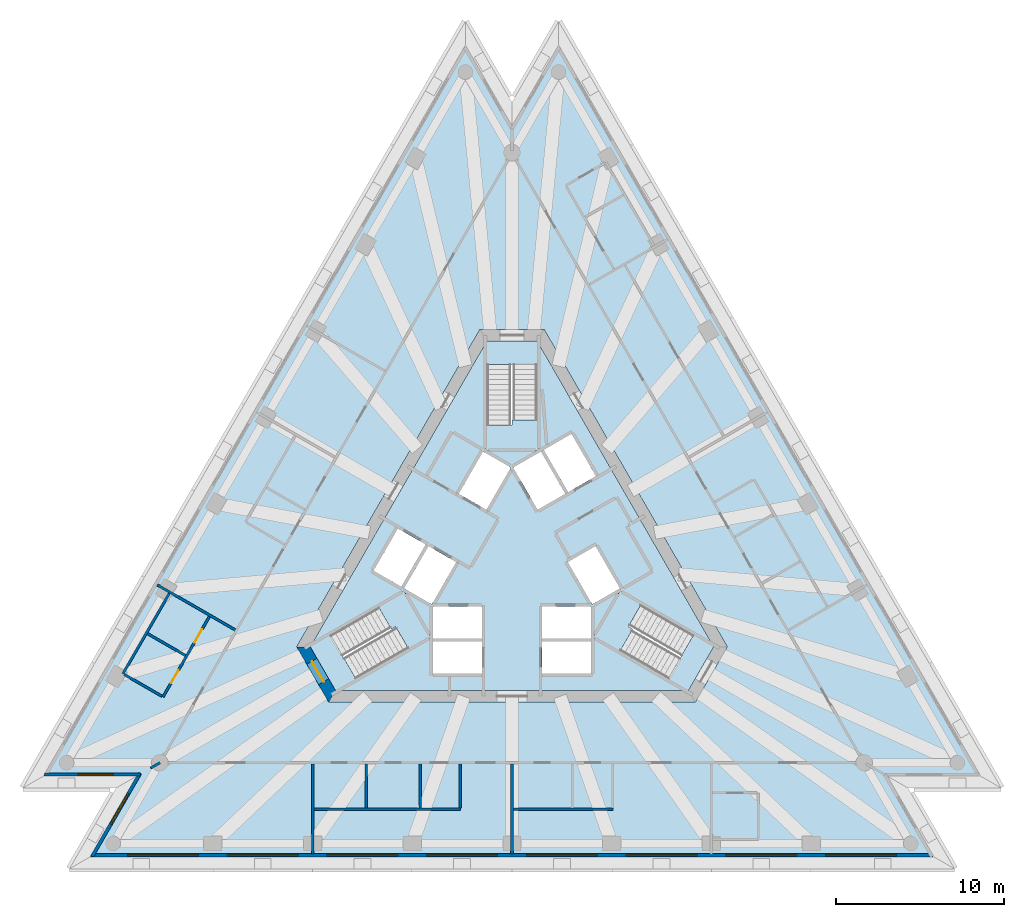
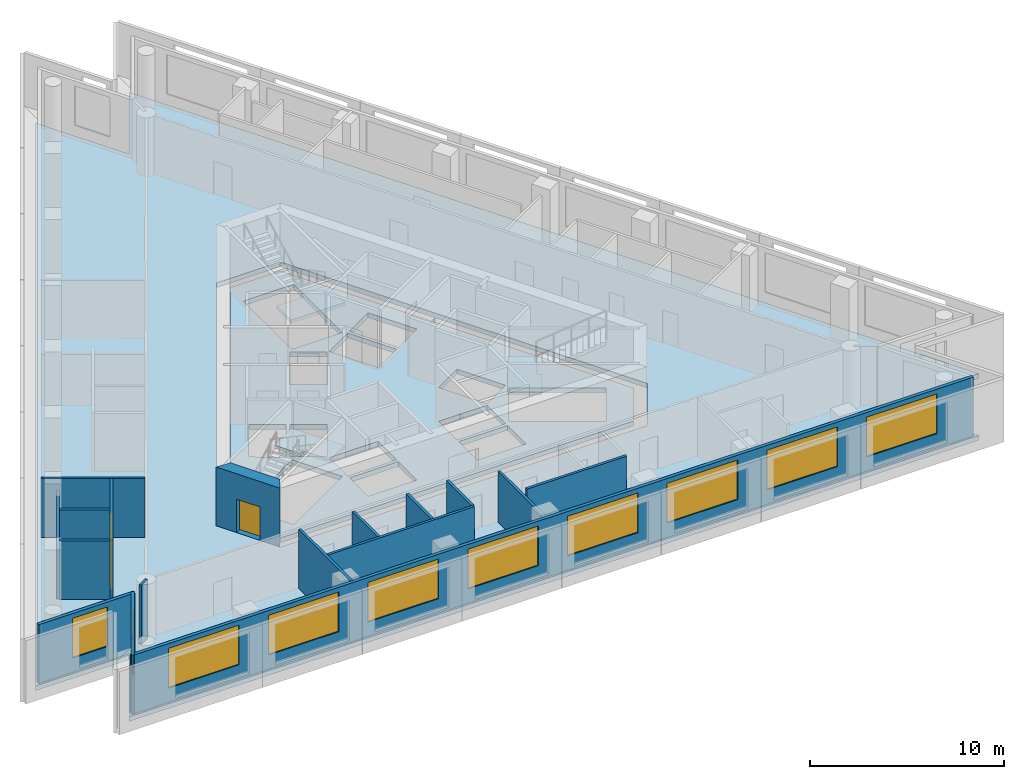
# One storey, part 2 of 9: 17 walls, 10 windows, 5 slabs, 3 doors, 13 openings, 3 elements without a shape of their own.
"""IFC4 building model written with IfcOpenShell, lengths in metres."""

from ifc_helpers import new_model, si_unit, direction, frame, frame_2d, origin, place, context, subcontext, project, spatial, polyline, rectangle, outline, extrude, material, layer, layer_set, layer_usage, type_object, element, fill, aggregate, save


model = new_model("IFC4")

# Units and contexts
model_context = context("Model", 3, precision=1e-05, world=origin(), true_north=direction((0.0, 1.0)))
body_context = subcontext(model_context, "Body", "Model", "MODEL_VIEW")
ifc_project = project(units=[si_unit("LENGTHUNIT", "METRE"), si_unit("AREAUNIT", "SQUARE_METRE"), si_unit("VOLUMEUNIT", "CUBIC_METRE"), si_unit("PLANEANGLEUNIT", "RADIAN"), si_unit("MASSUNIT", "GRAM", prefix="KILO")], contexts=[model_context])

# Site, building, storey
site_placement = place(None, origin())
site = spatial("IfcSite", under=ifc_project, at=site_placement, CompositionType="ELEMENT")
building_placement = place(site_placement, origin())
building = spatial("IfcBuilding", under=site, at=building_placement, Name="Triada Interchange Tower", CompositionType="ELEMENT")
storey_placement = place(building_placement, frame((0.0, 0.0, 231.300048828125)))
storey = spatial("IfcBuildingStorey", under=building, at=storey_placement, Name="L54", CompositionType="ELEMENT", Elevation=231.300048828125)

# Slabs
ifc_material_1 = material(Name="Concrete C50/60", Category="concrete")
ifc_layer_1 = layer(ifc_material_1, 0.300048828125)
ifc_layer_set_1 = layer_set([ifc_layer_1], Name="Floor slab 300")
slab_type_1 = type_object("IfcSlabType", Name="Floor slab 300", PredefinedType="FLOOR", material=ifc_layer_set_1)
slab_1_placement = place(storey_placement, frame((0.0, 0.0, -0.300048828125)))
element("IfcSlab", 1, at=slab_1_placement, inside=storey, type_object=slab_type_1, Name="Floor slab L54", PredefinedType="FLOOR", context=body_context, shape_type="SweptSolid", body=[
    extrude(outline(polyline([(-2.777099609375, 30.822998046875), (-28.0830078125, -13.006103515625), (-22.528076171875, -13.006103515625), (-25.304931640625, -17.81689453125), (25.304931640625, -17.81689453125), (22.528076171875, -13.006103515625), (28.0830078125, -13.006103515625), (2.777099609375, 30.822998046875), (0.0, 26.012939453125), (-2.777099609375, 30.822998046875)]), holes=[polyline([(1.905029296875, 13.699951171875), (-1.905029296875, 13.699951171875), (-12.81689453125, -5.199951171875), (-10.912109375, -8.5), (10.912109375, -8.5), (12.81689453125, -5.199951171875), (1.905029296875, 13.699951171875)])]), origin(), (0.0, 0.0, 1.0), 0.300048828125),
])
slab_2_placement = place(storey_placement, frame((0.0, 0.0, -0.300048828125)))
element("IfcSlab", 2, at=slab_2_placement, inside=storey, type_object=slab_type_1, Name="Core floor slab L54 1", PredefinedType="FLOOR", context=body_context, shape_type="SweptSolid", body=[
    extrude(outline(polyline([(12.009033203125, -5.199951171875), (10.508056640625, -7.800048828125), (-10.508056640625, -7.800048828125), (-12.009033203125, -5.199951171875), (-1.5009765625, 13.0), (1.5009765625, 13.0), (12.009033203125, -5.199951171875)]), holes=[polyline([(9.2958984375, -7.09912109375), (10.7958984375, -4.5009765625), (6.466064453125, -2.0009765625), (4.966064453125, -4.59912109375), (9.2958984375, -7.09912109375)]), polyline([(4.77490234375, -2.669921875), (6.419921875, -1.719970703125), (4.969970703125, 0.791015625), (4.137939453125, 0.31103515625), (3.324951171875, -0.158935546875), (4.77490234375, -2.669921875)]), polyline([(1.89404296875, 6.52001953125), (3.343994140625, 4.009033203125), (4.989013671875, 4.958984375), (3.5390625, 7.469970703125), (1.89404296875, 6.52001953125)]), polyline([(1.800048828125, -4.89990234375), (1.800048828125, -6.4990234375), (1.800048828125, -6.800048828125), (4.699951171875, -6.800048828125), (4.699951171875, -4.89990234375), (1.800048828125, -4.89990234375)]), polyline([(4.699951171875, -2.800048828125), (1.800048828125, -2.800048828125), (1.800048828125, -4.699951171875), (4.699951171875, -4.699951171875), (4.699951171875, -2.800048828125)]), polyline([(0.074951171875, 5.469970703125), (1.52490234375, 2.958984375), (3.169921875, 3.908935546875), (1.719970703125, 6.419921875), (0.074951171875, 5.469970703125)]), polyline([(-1.5, 11.60009765625), (-1.5, 6.60009765625), (1.5, 6.60009765625), (1.5, 11.60009765625), (-1.5, 11.60009765625)]), polyline([(-1.52490234375, 2.958984375), (-0.074951171875, 5.469970703125), (-1.719970703125, 6.419921875), (-3.169921875, 3.908935546875), (-1.52490234375, 2.958984375)]), polyline([(-1.800048828125, -2.800048828125), (-4.699951171875, -2.800048828125), (-4.699951171875, -4.699951171875), (-1.800048828125, -4.699951171875), (-1.800048828125, -2.800048828125)]), polyline([(-4.699951171875, -6.800048828125), (-1.800048828125, -6.800048828125), (-1.800048828125, -6.4990234375), (-1.800048828125, -4.89990234375), (-4.699951171875, -4.89990234375), (-4.699951171875, -6.800048828125)]), polyline([(-3.367919921875, -0.134033203125), (-4.969970703125, 0.791015625), (-6.419921875, -1.719970703125), (-4.77490234375, -2.669921875), (-3.324951171875, -0.158935546875), (-3.367919921875, -0.134033203125)]), polyline([(-10.7958984375, -4.5009765625), (-9.2958984375, -7.09912109375), (-4.966064453125, -4.59912109375), (-6.466064453125, -2.0009765625), (-10.7958984375, -4.5009765625)]), polyline([(-6.593994140625, -1.6201171875), (-5.14404296875, 0.89111328125), (-6.7890625, 1.841064453125), (-8.239013671875, -0.669921875), (-6.593994140625, -1.6201171875)])]), origin(), (0.0, 0.0, 1.0), 0.300048828125),
])

# Stair, slab
ifc_material_2 = material(Name="Concrete C35/45", Category="concrete")
stair_type = type_object("IfcStairType", Name="HALF TURN STAIR 1400", PredefinedType="HALF_TURN_STAIR", material=ifc_material_2)
stair_1_placement = place(storey_placement, origin())
stair_1 = element("IfcStair", 3, at=stair_1_placement, inside=storey, type_object=stair_type, Name="Exit stair S53-1", PredefinedType="HALF_TURN_STAIR")
ifc_layer_2 = layer(ifc_material_2, 0.199951171875)
ifc_layer_set_2 = layer_set([ifc_layer_2], Name="STAIR LANDING 200")
slab_type_2 = type_object("IfcSlabType", Name="STAIR LANDING 200", PredefinedType="LANDING", material=ifc_layer_set_2)
slab_3_placement = place(storey_placement, frame((0.0, 0.0, 1.719970703125)))
slab_3 = element("IfcSlab", 4, at=slab_3_placement, type_object=slab_type_2, Name="S53-1 landing 1", PredefinedType="LANDING", context=body_context, shape_type="SweptSolid", body=[
    extrude(outline(polyline([(1.60009765625, 6.5), (1.60009765625, 8.300048828125), (0.0, 8.300048828125), (0.0, 8.0), (-1.60009765625, 8.0), (-1.60009765625, 6.5), (1.60009765625, 6.5)])), origin(), (0.0, 0.0, 1.0), 0.199951171875),
])
aggregate(stair_1, [slab_3])

stair_2_placement = place(storey_placement, origin())
stair_2 = element("IfcStair", 5, at=stair_2_placement, inside=storey, type_object=stair_type, Name="Exit stair S53-2", PredefinedType="HALF_TURN_STAIR")
slab_4_placement = place(storey_placement, frame((0.0, 0.0, 1.719970703125)))
slab_4 = element("IfcSlab", 6, at=slab_4_placement, type_object=slab_type_2, Name="S53-2 landing 1", PredefinedType="LANDING", context=body_context, shape_type="SweptSolid", body=[
    extrude(outline(polyline([(-6.428955078125, -1.864013671875), (-7.988037109375, -2.763916015625), (-7.18798828125, -4.14990234375), (-6.927978515625, -4.0), (-6.1279296875, -5.385986328125), (-4.8291015625, -4.635986328125), (-6.428955078125, -1.864013671875)])), origin(), (0.0, 0.0, 1.0), 0.199951171875),
])
aggregate(stair_2, [slab_4])

stair_3_placement = place(storey_placement, origin())
stair_3 = element("IfcStair", 7, at=stair_3_placement, inside=storey, type_object=stair_type, Name="Exit stair S53-3", PredefinedType="HALF_TURN_STAIR")
slab_5_placement = place(storey_placement, frame((0.0, 0.0, 1.719970703125)))
slab_5 = element("IfcSlab", 8, at=slab_5_placement, type_object=slab_type_2, Name="S53-3 landing 1", PredefinedType="LANDING", context=body_context, shape_type="SweptSolid", body=[
    extrude(outline(polyline([(4.8291015625, -4.635986328125), (6.387939453125, -5.535888671875), (7.18798828125, -4.14990234375), (6.927978515625, -4.0), (7.72802734375, -2.614013671875), (6.428955078125, -1.864013671875), (4.8291015625, -4.635986328125)])), origin(), (0.0, 0.0, 1.0), 0.199951171875),
])
aggregate(stair_3, [slab_5])

# Wall, opening, door
ifc_layer_3 = layer(ifc_material_1, 0.699951171875)
ifc_layer_set_3 = layer_set([ifc_layer_3], Name="Core wall C 700")
wall_type_1 = type_object("IfcWallType", Name="Core wall C 700", PredefinedType="SHEAR", material=ifc_layer_set_3)
wall_1_placement = place(storey_placement, frame((-12.4130859375, -5.199951171875, -0.300048828125), z_axis=(0.0, 0.0, 1.0), x_axis=(0.49999337185, -0.866029230515, 0.0)))
wall_1 = element("IfcWall", 9, at=wall_1_placement, inside=storey, type_object=wall_type_1, Name="Core wall WC03 L54", PredefinedType="SHEAR", context=body_context, shape_type="SweptSolid", body=[
    extrude(outline(polyline([(-0.201904296875, -0.35009765625), (1.703125, -0.35009765625), (3.60791015625, -0.35009765625), (3.2041015625, 0.35009765625), (1.703125, 0.35009765625), (0.201904296875, 0.35009765625), (-0.201904296875, -0.35009765625)])), origin(), (0.0, 0.0, 1.0), 4.0),
])
opening_1_placement = place(wall_1_placement, frame((1.0029296875, 0.0, 0.300048828125)))
opening_1 = element("IfcOpeningElement", 10, at=opening_1_placement, cuts=wall_1, Name="Opening D53-41", PredefinedType="OPENING", context=body_context, shape_type="SweptSolid", body=[
    extrude(rectangle(XDim=1.39990234375, YDim=2.10009765625, at=frame_2d((0.699951171875, 1.050048828125))), frame((0.0, 0.360107421875, 0.0), z_axis=(0.0, -1.0, 0.0), x_axis=(1.0, 0.0, 0.0)), (0.0, 0.0, 1.0), 0.72021484375),
])
ifc_material_3 = material(Name="Steel S235 door leaf", Category="steel")
door_type_1 = type_object("IfcDoorType", Name="STAIR DOOR 1400 EI2 90-C5S200", OperationType="DOUBLE_DOOR_SINGLE_SWING", PredefinedType="DOOR", material=ifc_material_3)
door_1_placement = place(opening_1_placement, origin())
door_1 = element("IfcDoor", 11, at=door_1_placement, inside=storey, type_object=door_type_1, Name="Door D53-41 L54", OperationType="DOUBLE_DOOR_SINGLE_SWING", OverallHeight=2.10009765625, OverallWidth=1.39990234375, PredefinedType="DOOR", context=body_context, shape_type="SweptSolid", body=[
    extrude(rectangle(XDim=1.39990234375, YDim=2.10009765625, at=frame_2d((0.699951171875, 1.050048828125))), frame((0.0, 0.02490234375, 0.0), z_axis=(0.0, -1.0, 0.0), x_axis=(1.0, 0.0, 0.0)), (0.0, 0.0, 1.0), 0.050048828125),
])
fill(opening_1, door_1)

# Wall, opening, window
ifc_material_4 = material(Name="Cement board")
ifc_layer_4 = layer(ifc_material_4, 0.02001953125, Name="Cement board cladding")
ifc_material_5 = material(Name="Sheathing board")
ifc_layer_5 = layer(ifc_material_5, 0.014892578125, Name="Sheathing board")
ifc_material_6 = material(Name="Mineral wool")
ifc_layer_6 = layer(ifc_material_6, 0.14990234375, Name="Mineral wool between steel studs")
ifc_material_7 = material(Name="Gypsum board")
ifc_layer_7 = layer(ifc_material_7, 0.014892578125, Name="Plasterboard lining")
ifc_layer_set_4 = layer_set([ifc_layer_4, ifc_layer_5, ifc_layer_6, ifc_layer_7], Name="External wall 200")
ifc_layer_usage = layer_usage(ifc_layer_set_4, "AXIS2", "POSITIVE", -0.10009765625)
wall_type_2 = type_object("IfcWallType", Name="External wall 200", PredefinedType="ELEMENTEDWALL", material=ifc_layer_set_4)
wall_2_placement = place(storey_placement, frame((-27.826904296875, -12.805908203125, 0.0), z_axis=(0.0, 0.0, 1.0), x_axis=(1.0, 0.0, 0.0)))
wall_2 = element("IfcWall", 12, at=wall_2_placement, inside=storey, type_object=wall_type_2, material=ifc_layer_usage, Name="External wall L54 SW-1", PredefinedType="ELEMENTEDWALL", context=body_context, shape_type="SweptSolid", body=[
    extrude(rectangle(XDim=5.71484375, YDim=0.199951171875, at=frame_2d((2.857421875, 0.0))), origin(), (0.0, 0.0, 1.0), 3.699951171875),
])
opening_2_placement = place(wall_2_placement, frame((1.989990234375, 0.0, 0.89990234375)))
opening_2 = element("IfcOpeningElement", 13, at=opening_2_placement, cuts=wall_2, Name="Opening WC09", PredefinedType="OPENING", context=body_context, shape_type="SweptSolid", body=[
    extrude(rectangle(XDim=2.10009765625, YDim=2.5, at=frame_2d((1.050048828125, 1.25))), frame((0.0, 0.10986328125, 0.0), z_axis=(0.0, -1.0, 0.0), x_axis=(1.0, 0.0, 0.0)), (0.0, 0.0, 1.0), 0.219970703125),
])
ifc_material_8 = material(Name="Double glazed aluminium window", Category="aluminium")
window_type_1 = type_object("IfcWindowType", Name="Ribbon window C pocket", PartitioningType="SINGLE_PANEL", PredefinedType="WINDOW", material=ifc_material_8)
window_1_placement = place(opening_2_placement, origin())
window_1 = element("IfcWindow", 14, at=window_1_placement, inside=storey, type_object=window_type_1, Name="Window L54 SW-1 1", OverallHeight=2.5, OverallWidth=2.10009765625, PartitioningType="SINGLE_PANEL", PredefinedType="WINDOW", context=body_context, shape_type="SweptSolid", body=[
    extrude(rectangle(XDim=2.10009765625, YDim=2.5, at=frame_2d((1.050048828125, 1.25))), frame((0.0, 0.030029296875, 0.0), z_axis=(0.0, -1.0, 0.0), x_axis=(1.0, 0.0, 0.0)), (0.0, 0.0, 1.0), 0.06005859375),
])
fill(opening_2, window_1)

wall_3_placement = place(storey_placement, frame((-22.136962890625, -12.72802734375, 0.0), z_axis=(0.0, 0.0, 1.0), x_axis=(-0.49987899677, -0.866095253761, 0.0)))
wall_3 = element("IfcWall", 15, at=wall_3_placement, inside=storey, type_object=wall_type_2, material=ifc_layer_usage, Name="External wall L54 SW-2", PredefinedType="ELEMENTEDWALL", context=body_context, shape_type="SweptSolid", body=[
    extrude(rectangle(XDim=5.71533203125, YDim=0.199951171875, at=frame_2d((2.857666015625, 0.0))), origin(), (0.0, 0.0, 1.0), 3.699951171875),
])
opening_3_placement = place(wall_3_placement, frame((1.389892578125, 0.0, 0.89990234375)))
opening_3 = element("IfcOpeningElement", 16, at=opening_3_placement, cuts=wall_3, Name="Opening WC10", PredefinedType="OPENING", context=body_context, shape_type="SweptSolid", body=[
    extrude(rectangle(XDim=2.10009765625, YDim=2.5, at=frame_2d((1.050048828125, 1.25))), frame((0.0, 0.10986328125, 0.0), z_axis=(0.0, -1.0, 0.0), x_axis=(1.0, 0.0, 0.0)), (0.0, 0.0, 1.0), 0.219970703125),
])
window_2_placement = place(opening_3_placement, origin())
window_2 = element("IfcWindow", 17, at=window_2_placement, inside=storey, type_object=window_type_1, Name="Window L54 SW-2 1", OverallHeight=2.5, OverallWidth=2.10009765625, PartitioningType="SINGLE_PANEL", PredefinedType="WINDOW", context=body_context, shape_type="SweptSolid", body=[
    extrude(rectangle(XDim=2.10009765625, YDim=2.5, at=frame_2d((1.050048828125, 1.25))), frame((0.0, 0.030029296875, 0.0), z_axis=(0.0, -1.0, 0.0), x_axis=(1.0, 0.0, 0.0)), (0.0, 0.0, 1.0), 0.06005859375),
])
fill(opening_3, window_2)

# Wall, openings, windows
wall_4_placement = place(storey_placement, frame((-25.049072265625, -17.616943359375, 0.0), z_axis=(0.0, 0.0, 1.0), x_axis=(1.0, 0.0, 0.0)))
wall_4 = element("IfcWall", 18, at=wall_4_placement, inside=storey, type_object=wall_type_2, material=ifc_layer_usage, Name="External wall L54 S", PredefinedType="ELEMENTEDWALL", context=body_context, shape_type="SweptSolid", body=[
    extrude(rectangle(XDim=50.078125, YDim=0.199951171875, at=frame_2d((25.0390625, 0.0))), origin(), (0.0, 0.0, 1.0), 3.699951171875),
])
opening_4_placement = place(wall_4_placement, frame((2.1708984375, 0.0, 0.89990234375)))
opening_4 = element("IfcOpeningElement", 19, at=opening_4_placement, cuts=wall_4, Name="Opening WC11", PredefinedType="OPENING", context=body_context, shape_type="SweptSolid", body=[
    extrude(rectangle(XDim=4.199951171875, YDim=2.5, at=frame_2d((2.10009765625, 1.25))), frame((0.0, 0.10986328125, 0.0), z_axis=(0.0, -1.0, 0.0), x_axis=(1.0, 0.0, 0.0)), (0.0, 0.0, 1.0), 0.219970703125),
])
opening_5_placement = place(wall_4_placement, frame((8.10791015625, 0.0, 0.89990234375)))
opening_5 = element("IfcOpeningElement", 20, at=opening_5_placement, cuts=wall_4, Name="Opening WC12", PredefinedType="OPENING", context=body_context, shape_type="SweptSolid", body=[
    extrude(rectangle(XDim=4.199951171875, YDim=2.5, at=frame_2d((2.10009765625, 1.25))), frame((0.0, 0.10986328125, 0.0), z_axis=(0.0, -1.0, 0.0), x_axis=(1.0, 0.0, 0.0)), (0.0, 0.0, 1.0), 0.219970703125),
])
opening_6_placement = place(wall_4_placement, frame((14.0439453125, 0.0, 0.89990234375)))
opening_6 = element("IfcOpeningElement", 21, at=opening_6_placement, cuts=wall_4, Name="Opening WC13", PredefinedType="OPENING", context=body_context, shape_type="SweptSolid", body=[
    extrude(rectangle(XDim=4.199951171875, YDim=2.5, at=frame_2d((2.10009765625, 1.25))), frame((0.0, 0.10986328125, 0.0), z_axis=(0.0, -1.0, 0.0), x_axis=(1.0, 0.0, 0.0)), (0.0, 0.0, 1.0), 0.219970703125),
])
opening_7_placement = place(wall_4_placement, frame((19.98095703125, 0.0, 0.89990234375)))
opening_7 = element("IfcOpeningElement", 22, at=opening_7_placement, cuts=wall_4, Name="Opening WC14", PredefinedType="OPENING", context=body_context, shape_type="SweptSolid", body=[
    extrude(rectangle(XDim=4.199951171875, YDim=2.5, at=frame_2d((2.10009765625, 1.25))), frame((0.0, 0.10986328125, 0.0), z_axis=(0.0, -1.0, 0.0), x_axis=(1.0, 0.0, 0.0)), (0.0, 0.0, 1.0), 0.219970703125),
])
opening_8_placement = place(wall_4_placement, frame((25.9169921875, 0.0, 0.89990234375)))
opening_8 = element("IfcOpeningElement", 23, at=opening_8_placement, cuts=wall_4, Name="Opening WC15", PredefinedType="OPENING", context=body_context, shape_type="SweptSolid", body=[
    extrude(rectangle(XDim=4.199951171875, YDim=2.5, at=frame_2d((2.10009765625, 1.25))), frame((0.0, 0.10986328125, 0.0), z_axis=(0.0, -1.0, 0.0), x_axis=(1.0, 0.0, 0.0)), (0.0, 0.0, 1.0), 0.219970703125),
])
opening_9_placement = place(wall_4_placement, frame((31.85400390625, 0.0, 0.89990234375)))
opening_9 = element("IfcOpeningElement", 24, at=opening_9_placement, cuts=wall_4, Name="Opening WC16", PredefinedType="OPENING", context=body_context, shape_type="SweptSolid", body=[
    extrude(rectangle(XDim=4.199951171875, YDim=2.5, at=frame_2d((2.10009765625, 1.25))), frame((0.0, 0.10986328125, 0.0), z_axis=(0.0, -1.0, 0.0), x_axis=(1.0, 0.0, 0.0)), (0.0, 0.0, 1.0), 0.219970703125),
])
opening_10_placement = place(wall_4_placement, frame((37.7900390625, 0.0, 0.89990234375)))
opening_10 = element("IfcOpeningElement", 25, at=opening_10_placement, cuts=wall_4, Name="Opening WC17", PredefinedType="OPENING", context=body_context, shape_type="SweptSolid", body=[
    extrude(rectangle(XDim=4.199951171875, YDim=2.5, at=frame_2d((2.10009765625, 1.25))), frame((0.0, 0.10986328125, 0.0), z_axis=(0.0, -1.0, 0.0), x_axis=(1.0, 0.0, 0.0)), (0.0, 0.0, 1.0), 0.219970703125),
])
opening_11_placement = place(wall_4_placement, frame((43.72705078125, 0.0, 0.89990234375)))
opening_11 = element("IfcOpeningElement", 26, at=opening_11_placement, cuts=wall_4, Name="Opening WC18", PredefinedType="OPENING", context=body_context, shape_type="SweptSolid", body=[
    extrude(rectangle(XDim=4.199951171875, YDim=2.5, at=frame_2d((2.10009765625, 1.25))), frame((0.0, 0.10986328125, 0.0), z_axis=(0.0, -1.0, 0.0), x_axis=(1.0, 0.0, 0.0)), (0.0, 0.0, 1.0), 0.219970703125),
])
window_type_2 = type_object("IfcWindowType", Name="Ribbon window C face", PartitioningType="SINGLE_PANEL", PredefinedType="WINDOW", material=ifc_material_8)
window_3_placement = place(opening_4_placement, origin())
window_3 = element("IfcWindow", 27, at=window_3_placement, inside=storey, type_object=window_type_2, Name="Window L54 S 1", OverallHeight=2.5, OverallWidth=4.199951171875, PartitioningType="SINGLE_PANEL", PredefinedType="WINDOW", context=body_context, shape_type="SweptSolid", body=[
    extrude(rectangle(XDim=4.199951171875, YDim=2.5, at=frame_2d((2.10009765625, 1.25))), frame((0.0, 0.030029296875, 0.0), z_axis=(0.0, -1.0, 0.0), x_axis=(1.0, 0.0, 0.0)), (0.0, 0.0, 1.0), 0.06005859375),
])
fill(opening_4, window_3)
window_4_placement = place(opening_5_placement, origin())
window_4 = element("IfcWindow", 28, at=window_4_placement, inside=storey, type_object=window_type_2, Name="Window L54 S 2", OverallHeight=2.5, OverallWidth=4.199951171875, PartitioningType="SINGLE_PANEL", PredefinedType="WINDOW", context=body_context, shape_type="SweptSolid", body=[
    extrude(rectangle(XDim=4.199951171875, YDim=2.5, at=frame_2d((2.10009765625, 1.25))), frame((0.0, 0.030029296875, 0.0), z_axis=(0.0, -1.0, 0.0), x_axis=(1.0, 0.0, 0.0)), (0.0, 0.0, 1.0), 0.06005859375),
])
fill(opening_5, window_4)
window_5_placement = place(opening_6_placement, origin())
window_5 = element("IfcWindow", 29, at=window_5_placement, inside=storey, type_object=window_type_2, Name="Window L54 S 3", OverallHeight=2.5, OverallWidth=4.199951171875, PartitioningType="SINGLE_PANEL", PredefinedType="WINDOW", context=body_context, shape_type="SweptSolid", body=[
    extrude(rectangle(XDim=4.199951171875, YDim=2.5, at=frame_2d((2.10009765625, 1.25))), frame((0.0, 0.030029296875, 0.0), z_axis=(0.0, -1.0, 0.0), x_axis=(1.0, 0.0, 0.0)), (0.0, 0.0, 1.0), 0.06005859375),
])
fill(opening_6, window_5)
window_6_placement = place(opening_7_placement, origin())
window_6 = element("IfcWindow", 30, at=window_6_placement, inside=storey, type_object=window_type_2, Name="Window L54 S 4", OverallHeight=2.5, OverallWidth=4.199951171875, PartitioningType="SINGLE_PANEL", PredefinedType="WINDOW", context=body_context, shape_type="SweptSolid", body=[
    extrude(rectangle(XDim=4.199951171875, YDim=2.5, at=frame_2d((2.10009765625, 1.25))), frame((0.0, 0.030029296875, 0.0), z_axis=(0.0, -1.0, 0.0), x_axis=(1.0, 0.0, 0.0)), (0.0, 0.0, 1.0), 0.06005859375),
])
fill(opening_7, window_6)
window_7_placement = place(opening_8_placement, origin())
window_7 = element("IfcWindow", 31, at=window_7_placement, inside=storey, type_object=window_type_2, Name="Window L54 S 5", OverallHeight=2.5, OverallWidth=4.199951171875, PartitioningType="SINGLE_PANEL", PredefinedType="WINDOW", context=body_context, shape_type="SweptSolid", body=[
    extrude(rectangle(XDim=4.199951171875, YDim=2.5, at=frame_2d((2.10009765625, 1.25))), frame((0.0, 0.030029296875, 0.0), z_axis=(0.0, -1.0, 0.0), x_axis=(1.0, 0.0, 0.0)), (0.0, 0.0, 1.0), 0.06005859375),
])
fill(opening_8, window_7)
window_8_placement = place(opening_9_placement, origin())
window_8 = element("IfcWindow", 32, at=window_8_placement, inside=storey, type_object=window_type_2, Name="Window L54 S 6", OverallHeight=2.5, OverallWidth=4.199951171875, PartitioningType="SINGLE_PANEL", PredefinedType="WINDOW", context=body_context, shape_type="SweptSolid", body=[
    extrude(rectangle(XDim=4.199951171875, YDim=2.5, at=frame_2d((2.10009765625, 1.25))), frame((0.0, 0.030029296875, 0.0), z_axis=(0.0, -1.0, 0.0), x_axis=(1.0, 0.0, 0.0)), (0.0, 0.0, 1.0), 0.06005859375),
])
fill(opening_9, window_8)
window_9_placement = place(opening_10_placement, origin())
window_9 = element("IfcWindow", 33, at=window_9_placement, inside=storey, type_object=window_type_2, Name="Window L54 S 7", OverallHeight=2.5, OverallWidth=4.199951171875, PartitioningType="SINGLE_PANEL", PredefinedType="WINDOW", context=body_context, shape_type="SweptSolid", body=[
    extrude(rectangle(XDim=4.199951171875, YDim=2.5, at=frame_2d((2.10009765625, 1.25))), frame((0.0, 0.030029296875, 0.0), z_axis=(0.0, -1.0, 0.0), x_axis=(1.0, 0.0, 0.0)), (0.0, 0.0, 1.0), 0.06005859375),
])
fill(opening_10, window_9)
window_10_placement = place(opening_11_placement, origin())
window_10 = element("IfcWindow", 34, at=window_10_placement, inside=storey, type_object=window_type_2, Name="Window L54 S 8", OverallHeight=2.5, OverallWidth=4.199951171875, PartitioningType="SINGLE_PANEL", PredefinedType="WINDOW", context=body_context, shape_type="SweptSolid", body=[
    extrude(rectangle(XDim=4.199951171875, YDim=2.5, at=frame_2d((2.10009765625, 1.25))), frame((0.0, 0.030029296875, 0.0), z_axis=(0.0, -1.0, 0.0), x_axis=(1.0, 0.0, 0.0)), (0.0, 0.0, 1.0), 0.06005859375),
])
fill(opening_11, window_10)

# Walls
ifc_material_9 = material(Name="Gypsum board partition")
ifc_layer_8 = layer(ifc_material_9, 0.14990234375)
ifc_layer_set_5 = layer_set([ifc_layer_8], Name="PARTITION 150 EI 180")
wall_type_3 = type_object("IfcWallType", Name="PARTITION 150 EI 180", PredefinedType="PARTITIONING", material=ifc_layer_set_5)
wall_5_placement = place(storey_placement, frame((-21.506103515625, -12.416015625, 0.0), z_axis=(0.0, 0.0, 1.0), x_axis=(0.866102227088, 0.499866914522, 0.0)))
element("IfcWall", 35, at=wall_5_placement, inside=storey, type_object=wall_type_3, Name="Wall L53 1", PredefinedType="PARTITIONING", context=body_context, shape_type="SweptSolid", body=[
    extrude(rectangle(XDim=0.634033203125, YDim=0.14990234375, at=frame_2d((0.31689453125, 0.0))), origin(), (0.0, 0.0, 1.0), 3.699951171875),
])
wall_6_placement = place(storey_placement, frame((-21.1240234375, -1.513916015625, 0.0), z_axis=(0.0, 0.0, 1.0), x_axis=(0.866032438121, -0.499987815973, 0.0)))
element("IfcWall", 36, at=wall_6_placement, inside=storey, type_object=wall_type_3, Name="Wall L53 3", PredefinedType="PARTITIONING", context=body_context, shape_type="SweptSolid", body=[
    extrude(rectangle(XDim=5.362548828125, YDim=0.14990234375, at=frame_2d((2.68115234375, 0.0))), origin(), (0.0, 0.0, 1.0), 3.699951171875),
])
wall_7_placement = place(storey_placement, frame((-11.873046875, -17.537109375, 0.0), z_axis=(0.0, 0.0, 1.0), x_axis=(0.0, 1.0, 0.0)))
element("IfcWall", 37, at=wall_7_placement, inside=storey, type_object=wall_type_3, Name="Wall L53 12", PredefinedType="PARTITIONING", context=body_context, shape_type="SweptSolid", body=[
    extrude(rectangle(XDim=5.362060546875, YDim=0.14990234375, at=frame_2d((2.68115234375, 0.0))), origin(), (0.0, 0.0, 1.0), 3.699951171875),
])
wall_8_placement = place(storey_placement, frame((-11.798095703125, -14.85791015625, 0.0), z_axis=(0.0, 0.0, 1.0), x_axis=(1.0, 0.0, 0.0)))
element("IfcWall", 38, at=wall_8_placement, inside=storey, type_object=wall_type_3, Name="Wall L53 13", PredefinedType="PARTITIONING", context=body_context, shape_type="SweptSolid", body=[
    extrude(rectangle(XDim=8.72509765625, YDim=0.14990234375, at=frame_2d((4.362548828125, 0.0))), origin(), (0.0, 0.0, 1.0), 3.699951171875),
])
wall_9_placement = place(storey_placement, frame((0.074951171875, -14.85791015625, 0.0), z_axis=(0.0, 0.0, 1.0), x_axis=(1.0, 0.0, 0.0)))
element("IfcWall", 39, at=wall_9_placement, inside=storey, type_object=wall_type_3, Name="Wall L53 14", PredefinedType="PARTITIONING", context=body_context, shape_type="SweptSolid", body=[
    extrude(rectangle(XDim=5.925048828125, YDim=0.14990234375, at=frame_2d((2.96240234375, 0.0))), origin(), (0.0, 0.0, 1.0), 3.699951171875),
])
wall_10_placement = place(storey_placement, frame((-8.673095703125, -14.782958984375, 0.0), z_axis=(0.0, 0.0, 1.0), x_axis=(0.0, 1.0, 0.0)))
element("IfcWall", 40, at=wall_10_placement, inside=storey, type_object=wall_type_3, Name="Wall L53 15", PredefinedType="PARTITIONING", context=body_context, shape_type="SweptSolid", body=[
    extrude(rectangle(XDim=2.60791015625, YDim=0.14990234375, at=frame_2d((1.303955078125, 0.0))), origin(), (0.0, 0.0, 1.0), 3.699951171875),
])
wall_11_placement = place(storey_placement, frame((-3.072998046875, -14.783935546875, 0.0), z_axis=(0.0, 0.0, 1.0), x_axis=(0.0, 1.0, 0.0)))
element("IfcWall", 41, at=wall_11_placement, inside=storey, type_object=wall_type_3, Name="Wall L53 16", PredefinedType="PARTITIONING", context=body_context, shape_type="SweptSolid", body=[
    extrude(rectangle(XDim=2.60888671875, YDim=0.14990234375, at=frame_2d((1.304443359375, 0.0))), origin(), (0.0, 0.0, 1.0), 3.699951171875),
])
wall_12_placement = place(storey_placement, frame((-5.472900390625, -14.782958984375, 0.0), z_axis=(0.0, 0.0, 1.0), x_axis=(0.0, 1.0, 0.0)))
element("IfcWall", 42, at=wall_12_placement, inside=storey, type_object=wall_type_3, Name="Wall L53 17", PredefinedType="PARTITIONING", context=body_context, shape_type="SweptSolid", body=[
    extrude(rectangle(XDim=2.60791015625, YDim=0.14990234375, at=frame_2d((1.303955078125, 0.0))), origin(), (0.0, 0.0, 1.0), 3.699951171875),
])
wall_13_placement = place(storey_placement, frame((0.0, -17.537109375, 0.0), z_axis=(0.0, 0.0, 1.0), x_axis=(0.0, 1.0, 0.0)))
element("IfcWall", 43, at=wall_13_placement, inside=storey, type_object=wall_type_3, Name="Wall L53 18", PredefinedType="PARTITIONING", context=body_context, shape_type="SweptSolid", body=[
    extrude(rectangle(XDim=5.362060546875, YDim=0.14990234375, at=frame_2d((2.68115234375, 0.0))), origin(), (0.0, 0.0, 1.0), 3.199951171875),
])

# Wall, openings, doors
ifc_layer_9 = layer(ifc_material_9, 0.14990234375)
ifc_layer_set_6 = layer_set([ifc_layer_9], Name="PARTITION 150 EI 90")
wall_type_4 = type_object("IfcWallType", Name="PARTITION 150 EI 90", PredefinedType="PARTITIONING", material=ifc_layer_set_6)
wall_14_placement = place(storey_placement, frame((-20.77392578125, -8.181884765625, 0.0), z_axis=(0.0, 0.0, 1.0), x_axis=(0.499917542299, 0.866073005526, 0.0)))
wall_14 = element("IfcWall", 44, at=wall_14_placement, inside=storey, type_object=wall_type_4, Name="Wall L53 30", PredefinedType="PARTITIONING", context=body_context, shape_type="SweptSolid", body=[
    extrude(rectangle(XDim=5.52490234375, YDim=0.14990234375, at=frame_2d((2.762451171875, 0.0))), origin(), (0.0, 0.0, 1.0), 3.699951171875),
])
opening_12_placement = place(wall_14_placement, frame((3.75, 0.0, 0.0)))
opening_12 = element("IfcOpeningElement", 45, at=opening_12_placement, cuts=wall_14, Name="Opening D53-37", PredefinedType="OPENING", context=body_context, shape_type="SweptSolid", body=[
    extrude(rectangle(XDim=0.89990234375, YDim=2.10009765625, at=frame_2d((0.449951171875, 1.050048828125))), frame((0.0, 0.0849609375, 0.0), z_axis=(0.0, -1.0, 0.0), x_axis=(1.0, 0.0, 0.0)), (0.0, 0.0, 1.0), 0.169921875),
])
opening_13_placement = place(wall_14_placement, frame((0.949951171875, 0.0, 0.0)))
opening_13 = element("IfcOpeningElement", 46, at=opening_13_placement, cuts=wall_14, Name="Opening D53-38", PredefinedType="OPENING", context=body_context, shape_type="SweptSolid", body=[
    extrude(rectangle(XDim=0.89990234375, YDim=2.10009765625, at=frame_2d((0.449951171875, 1.050048828125))), frame((0.0, 0.0849609375, 0.0), z_axis=(0.0, -1.0, 0.0), x_axis=(1.0, 0.0, 0.0)), (0.0, 0.0, 1.0), 0.169921875),
])
door_type_2 = type_object("IfcDoorType", Name="ROOM DOOR 900 EI2 45-C5S200", OperationType="NOTDEFINED", PredefinedType="DOOR", material=ifc_material_3)
door_2_placement = place(opening_12_placement, origin())
door_2 = element("IfcDoor", 47, at=door_2_placement, inside=storey, type_object=door_type_2, Name="Door D53-37 L54", OperationType="SINGLE_SWING_RIGHT", OverallHeight=2.10009765625, OverallWidth=0.89990234375, PredefinedType="DOOR", context=body_context, shape_type="SweptSolid", body=[
    extrude(rectangle(XDim=0.89990234375, YDim=2.10009765625, at=frame_2d((0.449951171875, 1.050048828125))), frame((0.0, 0.02490234375, 0.0), z_axis=(0.0, -1.0, 0.0), x_axis=(1.0, 0.0, 0.0)), (0.0, 0.0, 1.0), 0.050048828125),
])
fill(opening_12, door_2)
door_3_placement = place(opening_13_placement, origin())
door_3 = element("IfcDoor", 48, at=door_3_placement, inside=storey, type_object=door_type_2, Name="Door D53-38 L54", OperationType="SINGLE_SWING_RIGHT", OverallHeight=2.10009765625, OverallWidth=0.89990234375, PredefinedType="DOOR", context=body_context, shape_type="SweptSolid", body=[
    extrude(rectangle(XDim=0.89990234375, YDim=2.10009765625, at=frame_2d((0.449951171875, 1.050048828125))), frame((0.0, 0.02490234375, 0.0), z_axis=(0.0, -1.0, 0.0), x_axis=(1.0, 0.0, 0.0)), (0.0, 0.0, 1.0), 0.050048828125),
])
fill(opening_13, door_3)

# Walls
wall_15_placement = place(storey_placement, frame((-23.1630859375, -6.802978515625, 0.0), z_axis=(0.0, 0.0, 1.0), x_axis=(0.499950687084, 0.866053872738, 0.0)))
element("IfcWall", 49, at=wall_15_placement, inside=storey, type_object=wall_type_4, Name="Wall L53 31", PredefinedType="PARTITIONING", context=body_context, shape_type="SweptSolid", body=[
    extrude(rectangle(XDim=5.52490234375, YDim=0.14990234375, at=frame_2d((2.762451171875, 0.0))), origin(), (0.0, 0.0, 1.0), 2.949951171875),
])
wall_16_placement = place(storey_placement, frame((-23.097900390625, -6.840087890625, 0.0), z_axis=(0.0, 0.0, 1.0), x_axis=(0.865889396464, -0.500235497633, 0.0)))
element("IfcWall", 50, at=wall_16_placement, inside=storey, type_object=wall_type_4, Name="Wall L53 32", PredefinedType="PARTITIONING", context=body_context, shape_type="SweptSolid", body=[
    extrude(rectangle(XDim=2.608642578125, YDim=0.14990234375, at=frame_2d((1.30419921875, 0.0))), origin(), (0.0, 0.0, 1.0), 3.699951171875),
])
wall_17_placement = place(storey_placement, frame((-21.697998046875, -4.416015625, 0.0), z_axis=(0.0, 0.0, 1.0), x_axis=(0.8660749285, -0.499914210863, 0.0)))
element("IfcWall", 51, at=wall_17_placement, inside=storey, type_object=wall_type_4, Name="Wall L53 33", PredefinedType="PARTITIONING", context=body_context, shape_type="SweptSolid", body=[
    extrude(rectangle(XDim=2.6083984375, YDim=0.14990234375, at=frame_2d((1.30419921875, 0.0))), origin(), (0.0, 0.0, 1.0), 3.699951171875),
])

save(model, "model.ifc")
